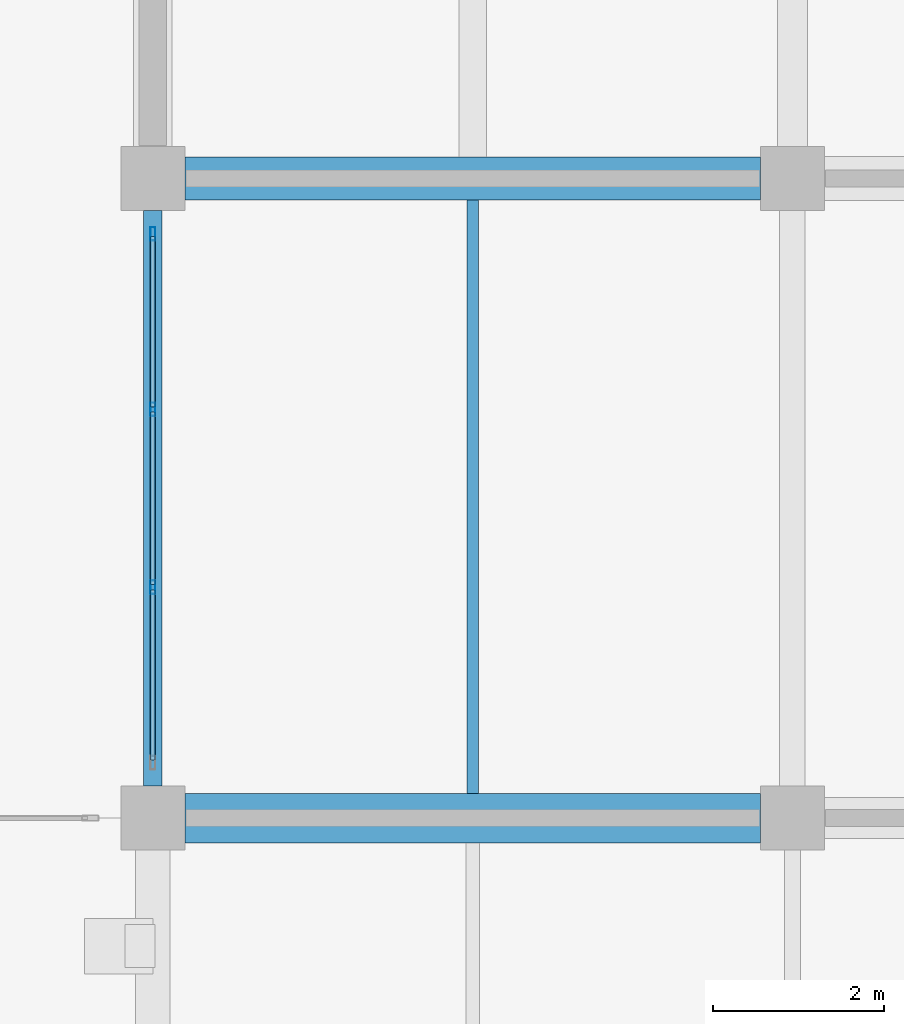
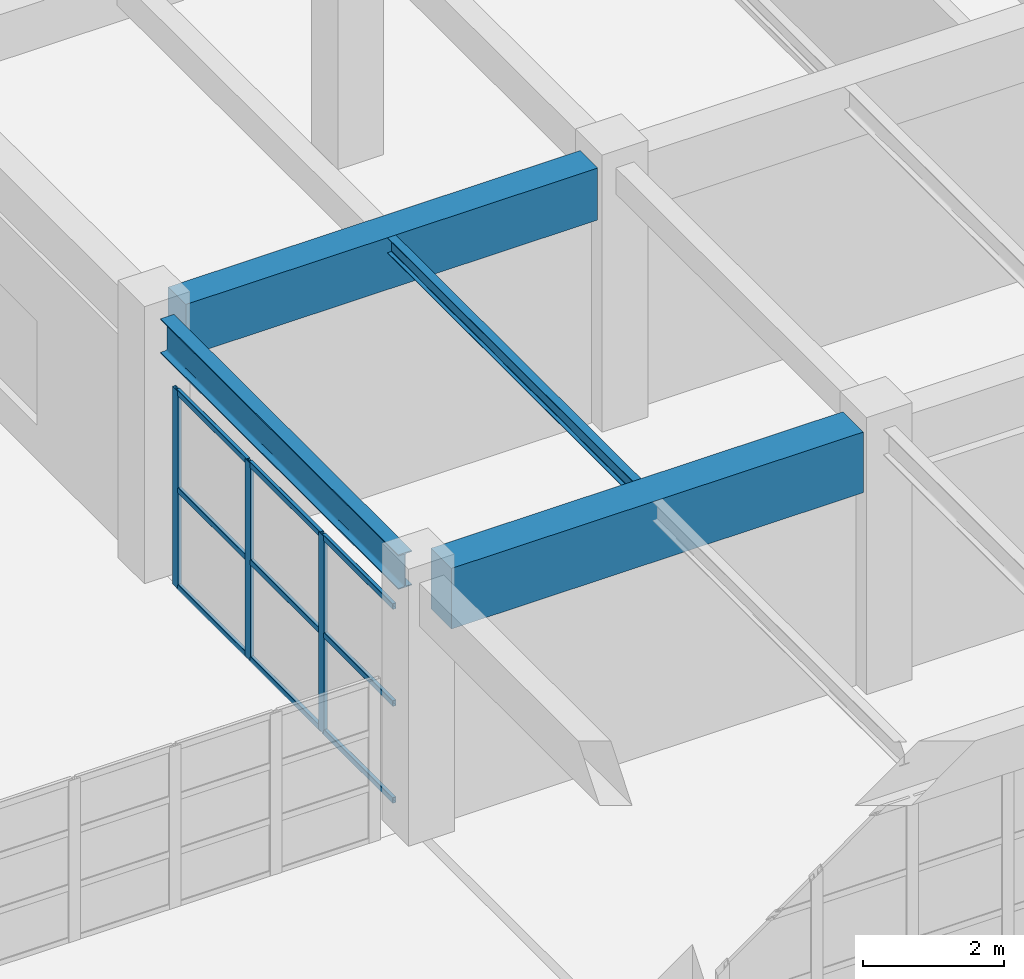
# One storey, part 48 of 122: 12 members, 4 beams, 1 element without a shape of its own.
"""IFC4 building model written with IfcOpenShell, lengths in metres."""

from ifc_helpers import new_model, si_unit, direction, frame, origin, origin_2d, place, context, subcontext, project, spatial, rectangle, hollow_rectangle, i_section, extrude, material, material_profile, profile_set, type_object, element, aggregate, save


model = new_model("IFC4")

# Units and contexts
model_context = context("Model", 3, precision=1e-05, world=origin(), true_north=direction((0.0, 1.0)))
body_context = subcontext(model_context, "Body", "Model", "MODEL_VIEW")
ifc_project = project(units=[si_unit("LENGTHUNIT", "METRE"), si_unit("AREAUNIT", "SQUARE_METRE"), si_unit("VOLUMEUNIT", "CUBIC_METRE"), si_unit("PLANEANGLEUNIT", "RADIAN"), si_unit("MASSUNIT", "GRAM", prefix="KILO")], contexts=[model_context])

# Site, building, storey
site_placement = place(None, origin())
site = spatial("IfcSite", under=ifc_project, at=site_placement, CompositionType="ELEMENT")
building_placement = place(site_placement, origin())
building = spatial("IfcBuilding", under=site, at=building_placement, Name="Qasida Concert Hall", CompositionType="ELEMENT")
storey_placement = place(building_placement, origin())
storey = spatial("IfcBuildingStorey", under=building, at=storey_placement, Name="L00", CompositionType="ELEMENT", Elevation=0.0)

# Beams
ifc_material_1 = material(Name="Concrete C40/50", Category="concrete")
ifc_material_profile_1 = material_profile(ifc_material_1, rectangle(XDim=0.5, YDim=0.89990234375, at=origin_2d()), Name="RC 500x900")
ifc_profile_set_1 = profile_set([ifc_material_profile_1], Name="Concrete C40/50")
beam_type_1 = type_object("IfcBeamType", Name="BM-G1", PredefinedType="USERDEFINED", material=ifc_profile_set_1)
beam_1_placement = place(storey_placement, frame((120.375, 90.0, 4.050048828125), z_axis=(1.0, 0.0, 0.0), x_axis=(0.0, 1.0, 0.0)))
element("IfcBeam", 1, at=beam_1_placement, inside=storey, type_object=beam_type_1, Name="Primary girder 0601", ObjectType="GIRDER", PredefinedType="USERDEFINED", context=body_context, shape_type="SweptSolid", body=[
    extrude(rectangle(XDim=0.5, YDim=0.89990234375, at=origin_2d()), origin(), (0.0, 0.0, 1.0), 6.75),
])
ifc_material_2 = material(Name="Concrete C50/60", Category="concrete")
ifc_material_profile_2 = material_profile(ifc_material_2, rectangle(XDim=0.580078125, YDim=1.050048828125, at=origin_2d()), Name="RC 580x1050")
ifc_profile_set_2 = profile_set([ifc_material_profile_2], Name="Concrete C50/60")
beam_type_2 = type_object("IfcBeamType", Name="BM-G8", PredefinedType="USERDEFINED", material=ifc_profile_set_2)
beam_2_placement = place(storey_placement, frame((120.375, 82.5, 3.97509765625), z_axis=(1.0, 0.0, 0.0), x_axis=(0.0, 1.0, 0.0)))
element("IfcBeam", 2, at=beam_2_placement, inside=storey, type_object=beam_type_2, Name="Primary girder 0595", ObjectType="GIRDER", PredefinedType="USERDEFINED", context=body_context, shape_type="SweptSolid", body=[
    extrude(rectangle(XDim=0.580078125, YDim=1.050048828125, at=origin_2d()), origin(), (0.0, 0.0, 1.0), 6.75),
])
ifc_material_3 = material(Name="Steel S355J2", Category="steel")
ifc_material_profile_3 = material_profile(ifc_material_3, i_section(OverallWidth=0.135009765625, OverallDepth=0.27001953125, WebThickness=0.006591796875, FlangeThickness=0.01025390625, FilletRadius=0.014892578125, at=origin_2d()), Name="IPE 270")
ifc_profile_set_3 = profile_set([ifc_material_profile_3], Name="Steel S355J2")
beam_type_3 = type_object("IfcBeamType", Name="BM-J6", PredefinedType="JOIST", material=ifc_profile_set_3)
beam_3_placement = place(storey_placement, frame((123.75, 82.7900390625, 4.364990234375), z_axis=(0.0, 1.0, 0.0), x_axis=(-1.0, 0.0, 0.0)))
element("IfcBeam", 3, at=beam_3_placement, inside=storey, type_object=beam_type_3, Name="L00 secondary joist 0661", PredefinedType="JOIST", context=body_context, shape_type="SweptSolid", body=[
    extrude(i_section(OverallWidth=0.135009765625, OverallDepth=0.27001953125, WebThickness=0.006591796875, FlangeThickness=0.01025390625, FilletRadius=0.014892578125, at=origin_2d()), origin(), (0.0, 0.0, 1.0), 6.9599609375),
])
ifc_material_profile_4 = material_profile(ifc_material_3, i_section(OverallWidth=0.219970703125, OverallDepth=0.60009765625, WebThickness=0.011962890625, FlangeThickness=0.01904296875, FilletRadius=0.02392578125, at=origin_2d()), Name="IPE 600")
ifc_profile_set_4 = profile_set([ifc_material_profile_4], Name="Steel S355J2")
beam_type_4 = type_object("IfcBeamType", Name="BM-SP3", PredefinedType="SPANDREL", material=ifc_profile_set_4)
beam_4_placement = place(storey_placement, frame((120.0, 82.875, 4.199951171875), z_axis=(0.0, 1.0, 0.0), x_axis=(-1.0, 0.0, 0.0)))
element("IfcBeam", 4, at=beam_4_placement, inside=storey, type_object=beam_type_4, Name="L00 girder 0626", PredefinedType="SPANDREL", context=body_context, shape_type="SweptSolid", body=[
    extrude(i_section(OverallWidth=0.219970703125, OverallDepth=0.60009765625, WebThickness=0.011962890625, FlangeThickness=0.01904296875, FilletRadius=0.02392578125, at=origin_2d()), origin(), (0.0, 0.0, 1.0), 6.75),
])

# Curtain wall, members
ifc_material_4 = material(Name="Architectural bronze-anodized aluminium and low-E glass", Category="aluminium")
curtain_wall_type = type_object("IfcCurtainWallType", Name="CW-09", PredefinedType="NOTDEFINED", material=ifc_material_4)
curtain_wall_placement = place(storey_placement, origin())
curtain_wall = element("IfcCurtainWall", 5, at=curtain_wall_placement, inside=storey, type_object=curtain_wall_type, Name="L00 curtain wall CW-09 0156", PredefinedType="NOTDEFINED")
ifc_material_5 = material(Name="Architectural bronze-anodized aluminium EN AW-6063", Category="aluminium")
ifc_material_profile_5 = material_profile(ifc_material_5, hollow_rectangle(XDim=0.06005859375, YDim=0.159912109375, WallThickness=0.00390625, InnerFilletRadius=0.00390625, OuterFilletRadius=0.008056640625, at=origin_2d()), Name="CWM 160x60x4")
ifc_profile_set_5 = profile_set([ifc_material_profile_5], Name="Architectural bronze-anodized aluminium EN AW-6063")
member_type_1 = type_object("IfcMemberType", Name="MB-CWM-3", PredefinedType="MULLION", material=ifc_profile_set_5)
member_1_placement = place(storey_placement, frame((120.0, 85.206787109375, 0.0), z_axis=(0.0, 0.0, 1.0), x_axis=(-1.0, 0.0, 0.0)))
member_1 = element("IfcMember", 6, at=member_1_placement, type_object=member_type_1, Name="CW-09 mullion 2", PredefinedType="MULLION", context=body_context, shape_type="SweptSolid", body=[
    extrude(hollow_rectangle(XDim=0.06005859375, YDim=0.159912109375, WallThickness=0.00390625, InnerFilletRadius=0.00390625, OuterFilletRadius=0.008056640625, at=origin_2d()), origin(), (0.0, 0.0, 1.0), 3.419921875),
])
member_2_placement = place(storey_placement, frame((120.0, 87.293212890625, 0.0), z_axis=(0.0, 0.0, 1.0), x_axis=(-1.0, 0.0, 0.0)))
member_2 = element("IfcMember", 7, at=member_2_placement, type_object=member_type_1, Name="CW-09 mullion 3", PredefinedType="MULLION", context=body_context, shape_type="SweptSolid", body=[
    extrude(hollow_rectangle(XDim=0.06005859375, YDim=0.159912109375, WallThickness=0.00390625, InnerFilletRadius=0.00390625, OuterFilletRadius=0.008056640625, at=origin_2d()), origin(), (0.0, 0.0, 1.0), 3.419921875),
])
member_3_placement = place(storey_placement, frame((120.0, 89.35009765625, 0.0), z_axis=(0.0, 0.0, 1.0), x_axis=(-1.0, 0.0, 0.0)))
member_3 = element("IfcMember", 8, at=member_3_placement, type_object=member_type_1, Name="CW-09 mullion 4", PredefinedType="MULLION", context=body_context, shape_type="SweptSolid", body=[
    extrude(hollow_rectangle(XDim=0.06005859375, YDim=0.159912109375, WallThickness=0.00390625, InnerFilletRadius=0.00390625, OuterFilletRadius=0.008056640625, at=origin_2d()), origin(), (0.0, 0.0, 1.0), 3.419921875),
])
ifc_material_profile_6 = material_profile(ifc_material_5, hollow_rectangle(XDim=0.06005859375, YDim=0.10009765625, WallThickness=0.00341796875, InnerFilletRadius=0.00341796875, OuterFilletRadius=0.007080078125, at=origin_2d()), Name="CWT 100x60x3.5")
ifc_profile_set_6 = profile_set([ifc_material_profile_6], Name="Architectural bronze-anodized aluminium EN AW-6063")
member_type_2 = type_object("IfcMemberType", Name="MB-CWT-3", PredefinedType="USERDEFINED", material=ifc_profile_set_6)
member_4_placement = place(storey_placement, frame((120.0, 83.179931640625, 0.030029296875), z_axis=(0.0, 1.0, 0.0), x_axis=(-1.0, 0.0, 0.0)))
member_4 = element("IfcMember", 9, at=member_4_placement, type_object=member_type_2, Name="CW-09 transom 1.1", ObjectType="TRANSOM", PredefinedType="USERDEFINED", context=body_context, shape_type="SweptSolid", body=[
    extrude(hollow_rectangle(XDim=0.06005859375, YDim=0.10009765625, WallThickness=0.00341796875, InnerFilletRadius=0.00341796875, OuterFilletRadius=0.007080078125, at=origin_2d()), origin(), (0.0, 0.0, 1.0), 1.996826171875),
])
member_5_placement = place(storey_placement, frame((120.0, 83.179931640625, 1.7099609375), z_axis=(0.0, 1.0, 0.0), x_axis=(-1.0, 0.0, 0.0)))
member_5 = element("IfcMember", 10, at=member_5_placement, type_object=member_type_2, Name="CW-09 transom 1.2", ObjectType="TRANSOM", PredefinedType="USERDEFINED", context=body_context, shape_type="SweptSolid", body=[
    extrude(hollow_rectangle(XDim=0.06005859375, YDim=0.10009765625, WallThickness=0.00341796875, InnerFilletRadius=0.00341796875, OuterFilletRadius=0.007080078125, at=origin_2d()), origin(), (0.0, 0.0, 1.0), 1.996826171875),
])
member_6_placement = place(storey_placement, frame((120.0, 83.179931640625, 3.389892578125), z_axis=(0.0, 1.0, 0.0), x_axis=(-1.0, 0.0, 0.0)))
member_6 = element("IfcMember", 11, at=member_6_placement, type_object=member_type_2, Name="CW-09 transom 1.3", ObjectType="TRANSOM", PredefinedType="USERDEFINED", context=body_context, shape_type="SweptSolid", body=[
    extrude(hollow_rectangle(XDim=0.06005859375, YDim=0.10009765625, WallThickness=0.00341796875, InnerFilletRadius=0.00341796875, OuterFilletRadius=0.007080078125, at=origin_2d()), origin(), (0.0, 0.0, 1.0), 1.996826171875),
])
member_7_placement = place(storey_placement, frame((120.0, 85.236572265625, 0.030029296875), z_axis=(0.0, 1.0, 0.0), x_axis=(-1.0, 0.0, 0.0)))
member_7 = element("IfcMember", 12, at=member_7_placement, type_object=member_type_2, Name="CW-09 transom 2.1", ObjectType="TRANSOM", PredefinedType="USERDEFINED", context=body_context, shape_type="SweptSolid", body=[
    extrude(hollow_rectangle(XDim=0.06005859375, YDim=0.10009765625, WallThickness=0.00341796875, InnerFilletRadius=0.00341796875, OuterFilletRadius=0.007080078125, at=origin_2d()), origin(), (0.0, 0.0, 1.0), 2.02685546875),
])
member_8_placement = place(storey_placement, frame((120.0, 85.236572265625, 1.7099609375), z_axis=(0.0, 1.0, 0.0), x_axis=(-1.0, 0.0, 0.0)))
member_8 = element("IfcMember", 13, at=member_8_placement, type_object=member_type_2, Name="CW-09 transom 2.2", ObjectType="TRANSOM", PredefinedType="USERDEFINED", context=body_context, shape_type="SweptSolid", body=[
    extrude(hollow_rectangle(XDim=0.06005859375, YDim=0.10009765625, WallThickness=0.00341796875, InnerFilletRadius=0.00341796875, OuterFilletRadius=0.007080078125, at=origin_2d()), origin(), (0.0, 0.0, 1.0), 2.02685546875),
])
member_9_placement = place(storey_placement, frame((120.0, 85.236572265625, 3.389892578125), z_axis=(0.0, 1.0, 0.0), x_axis=(-1.0, 0.0, 0.0)))
member_9 = element("IfcMember", 14, at=member_9_placement, type_object=member_type_2, Name="CW-09 transom 2.3", ObjectType="TRANSOM", PredefinedType="USERDEFINED", context=body_context, shape_type="SweptSolid", body=[
    extrude(hollow_rectangle(XDim=0.06005859375, YDim=0.10009765625, WallThickness=0.00341796875, InnerFilletRadius=0.00341796875, OuterFilletRadius=0.007080078125, at=origin_2d()), origin(), (0.0, 0.0, 1.0), 2.02685546875),
])
member_10_placement = place(storey_placement, frame((120.0, 87.3232421875, 0.030029296875), z_axis=(0.0, 1.0, 0.0), x_axis=(-1.0, 0.0, 0.0)))
member_10 = element("IfcMember", 15, at=member_10_placement, type_object=member_type_2, Name="CW-09 transom 3.1", ObjectType="TRANSOM", PredefinedType="USERDEFINED", context=body_context, shape_type="SweptSolid", body=[
    extrude(hollow_rectangle(XDim=0.06005859375, YDim=0.10009765625, WallThickness=0.00341796875, InnerFilletRadius=0.00341796875, OuterFilletRadius=0.007080078125, at=origin_2d()), origin(), (0.0, 0.0, 1.0), 1.996826171875),
])
member_11_placement = place(storey_placement, frame((120.0, 87.3232421875, 1.7099609375), z_axis=(0.0, 1.0, 0.0), x_axis=(-1.0, 0.0, 0.0)))
member_11 = element("IfcMember", 16, at=member_11_placement, type_object=member_type_2, Name="CW-09 transom 3.2", ObjectType="TRANSOM", PredefinedType="USERDEFINED", context=body_context, shape_type="SweptSolid", body=[
    extrude(hollow_rectangle(XDim=0.06005859375, YDim=0.10009765625, WallThickness=0.00341796875, InnerFilletRadius=0.00341796875, OuterFilletRadius=0.007080078125, at=origin_2d()), origin(), (0.0, 0.0, 1.0), 1.996826171875),
])
member_12_placement = place(storey_placement, frame((120.0, 87.3232421875, 3.389892578125), z_axis=(0.0, 1.0, 0.0), x_axis=(-1.0, 0.0, 0.0)))
member_12 = element("IfcMember", 17, at=member_12_placement, type_object=member_type_2, Name="CW-09 transom 3.3", ObjectType="TRANSOM", PredefinedType="USERDEFINED", context=body_context, shape_type="SweptSolid", body=[
    extrude(hollow_rectangle(XDim=0.06005859375, YDim=0.10009765625, WallThickness=0.00341796875, InnerFilletRadius=0.00341796875, OuterFilletRadius=0.007080078125, at=origin_2d()), origin(), (0.0, 0.0, 1.0), 1.996826171875),
])
aggregate(curtain_wall, [member_1, member_2, member_3, member_4, member_5, member_6, member_7, member_8, member_9, member_10, member_11, member_12])

save(model, "model.ifc")
